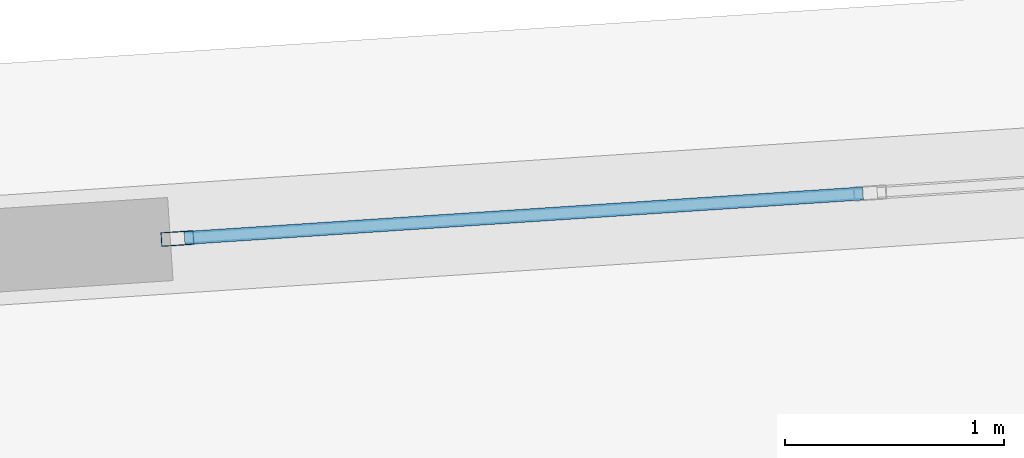
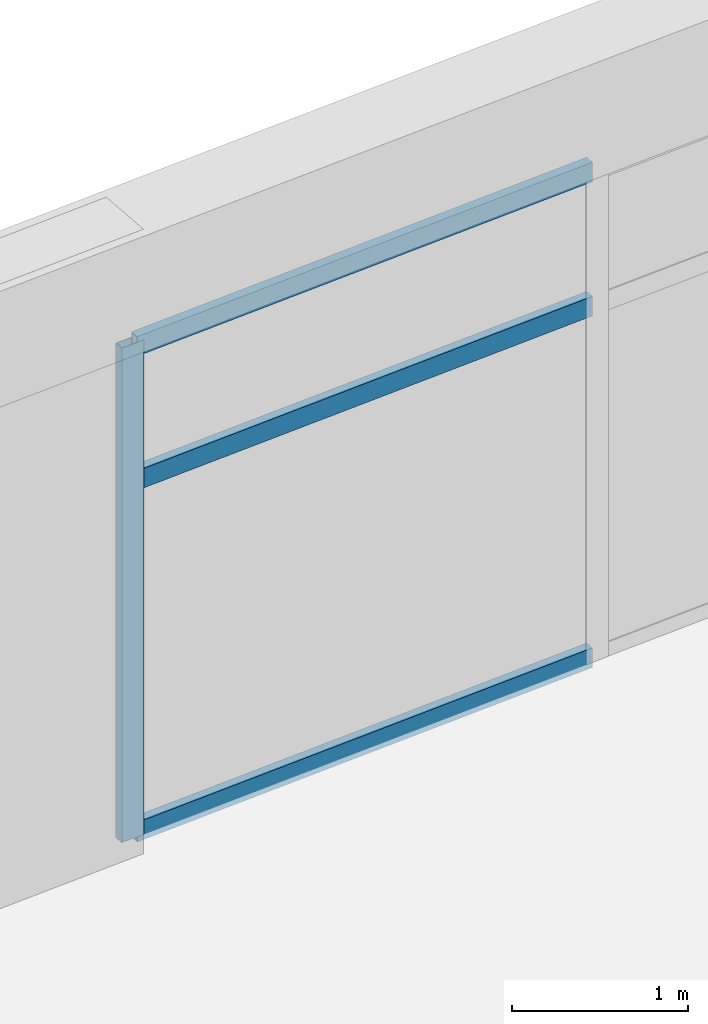
# One storey, part 18 of 35: 4 members, 1 element without a shape of its own.
"""IFC4 building model written with IfcOpenShell, lengths in metres."""

from ifc_helpers import new_model, si_unit, direction, frame, origin, origin_2d, place, context, subcontext, project, spatial, hollow_rectangle, extrude, source, transform, mapped, material, layer, layer_set, material_profile, profile_set, type_object, element, aggregate, save


model = new_model("IFC4")

# Units and contexts
model_context = context("Model", 3, precision=1e-05, world=origin(), true_north=direction((0.0, 1.0)))
body_context = subcontext(model_context, "Body", "Model", "MODEL_VIEW")
ifc_project = project(units=[si_unit("LENGTHUNIT", "METRE"), si_unit("AREAUNIT", "SQUARE_METRE"), si_unit("VOLUMEUNIT", "CUBIC_METRE"), si_unit("PLANEANGLEUNIT", "RADIAN"), si_unit("MASSUNIT", "GRAM", prefix="KILO")], contexts=[model_context])

# Site, building, storey
site_placement = place(None, origin())
site = spatial("IfcSite", under=ifc_project, at=site_placement, CompositionType="ELEMENT")
building_placement = place(site_placement, origin())
building = spatial("IfcBuilding", under=site, at=building_placement, Name="Liaohun Quay Tower", CompositionType="ELEMENT")
storey_placement = place(building_placement, frame((0.0, 0.0, 282.0)))
storey = spatial("IfcBuildingStorey", under=building, at=storey_placement, Name="L73", CompositionType="ELEMENT", Elevation=282.0)

# Curtain wall, members
ifc_material_1 = material(Name="Upper sky-lobby belvedere curtain wall")
ifc_layer = layer(ifc_material_1, 0.199951171875, Name="Upper sky-lobby belvedere curtain wall")
ifc_layer_set = layer_set([ifc_layer], Name="Upper sky-lobby belvedere curtain wall")
curtain_wall_type = type_object("IfcCurtainWallType", Name="CW-SKY-L73", PredefinedType="NOTDEFINED", material=ifc_layer_set)
curtain_wall_placement = place(storey_placement, origin())
curtain_wall = element("IfcCurtainWall", 1, at=curtain_wall_placement, inside=storey, type_object=curtain_wall_type, Name="L73 Panoramic Belvedere Curtain Wall 04", PredefinedType="NOTDEFINED")
ifc_material_2 = material(Name="Anodised aluminium 6063-T6", Category="aluminium")
ifc_material_profile_1 = material_profile(ifc_material_2, hollow_rectangle(XDim=0.06494140625, YDim=0.14990234375, WallThickness=0.00390625, at=origin_2d()), Name="RHS150x65x4")
ifc_profile_set_1 = profile_set([ifc_material_profile_1], Name="Anodised aluminium 6063-T6")
member_type_1 = type_object("IfcMemberType", Name="MEM-CWM-SKY", PredefinedType="MULLION", material=ifc_profile_set_1)
shared_shape_1 = source(origin(), body_context, "Body", "SweptSolid", [
    extrude(hollow_rectangle(XDim=0.06494140625, YDim=0.14990234375, WallThickness=0.00390625, at=origin_2d()), origin(), (0.0, 0.0, 1.0), 3.419921875),
])
member_1_placement = place(storey_placement, frame((45.060546875, 75.5380859375, 0.0), z_axis=(0.0, 0.0, 1.0), x_axis=(0.065616855264, -0.997844891907, 0.0)))
member_1 = element("IfcMember", 2, at=member_1_placement, type_object=member_type_1, Name="CW5 mullion 3", PredefinedType="MULLION", context=body_context, shape_type="MappedRepresentation", body=[
    mapped(shared_shape_1, transform((0.0, 0.0, 0.0), x_axis=(1.0, 0.0, 0.0), y_axis=(0.0, 1.0, 0.0), z_axis=(0.0, 0.0, 1.0), scale=1.0)),
])
ifc_material_profile_2 = material_profile(ifc_material_2, hollow_rectangle(XDim=0.06005859375, YDim=0.135009765625, WallThickness=0.00390625, at=origin_2d()), Name="RHS135x60x4")
ifc_profile_set_2 = profile_set([ifc_material_profile_2], Name="Anodised aluminium 6063-T6")
member_type_2 = type_object("IfcMemberType", Name="MEM-CWT-SKY", PredefinedType="USERDEFINED", material=ifc_profile_set_2)
shared_shape_2 = source(origin(), body_context, "Body", "SweptSolid", [
    extrude(hollow_rectangle(XDim=0.06005859375, YDim=0.135009765625, WallThickness=0.00390625, at=origin_2d()), origin(), (0.0, 0.0, 1.0), 3.102783203125),
])
member_2_placement = place(storey_placement, frame((48.18896484375, 75.743896484375, 0.030029296875), z_axis=(-0.997844635401, -0.065620755869, 0.0), x_axis=(0.065620755869, -0.997844635401, 0.0)))
member_2 = element("IfcMember", 3, at=member_2_placement, type_object=member_type_2, Name="CW5 transom 2.1", ObjectType="TRANSOM", PredefinedType="USERDEFINED", context=body_context, shape_type="MappedRepresentation", body=[
    mapped(shared_shape_2, transform((0.0, 0.0, 0.0), x_axis=(1.0, 0.0, 0.0), y_axis=(0.0, 1.0, 0.0), z_axis=(0.0, 0.0, 1.0), scale=1.0)),
])
member_3_placement = place(storey_placement, frame((48.18896484375, 75.743896484375, 2.4619140625), z_axis=(-0.997844635401, -0.065620755869, 0.0), x_axis=(0.065620755869, -0.997844635401, 0.0)))
member_3 = element("IfcMember", 4, at=member_3_placement, type_object=member_type_2, Name="CW5 transom 2.2", ObjectType="TRANSOM", PredefinedType="USERDEFINED", context=body_context, shape_type="MappedRepresentation", body=[
    mapped(shared_shape_2, transform((0.0, 0.0, 0.0), x_axis=(1.0, 0.0, 0.0), y_axis=(0.0, 1.0, 0.0), z_axis=(0.0, 0.0, 1.0), scale=1.0)),
])
member_4_placement = place(storey_placement, frame((48.18896484375, 75.743896484375, 3.389892578125), z_axis=(-0.997844635401, -0.065620755869, 0.0), x_axis=(0.065620755869, -0.997844635401, 0.0)))
member_4 = element("IfcMember", 5, at=member_4_placement, type_object=member_type_2, Name="CW5 transom 2.3", ObjectType="TRANSOM", PredefinedType="USERDEFINED", context=body_context, shape_type="MappedRepresentation", body=[
    mapped(shared_shape_2, transform((0.0, 0.0, 0.0), x_axis=(1.0, 0.0, 0.0), y_axis=(0.0, 1.0, 0.0), z_axis=(0.0, 0.0, 1.0), scale=1.0)),
])
aggregate(curtain_wall, [member_1, member_2, member_3, member_4])

save(model, "model.ifc")
